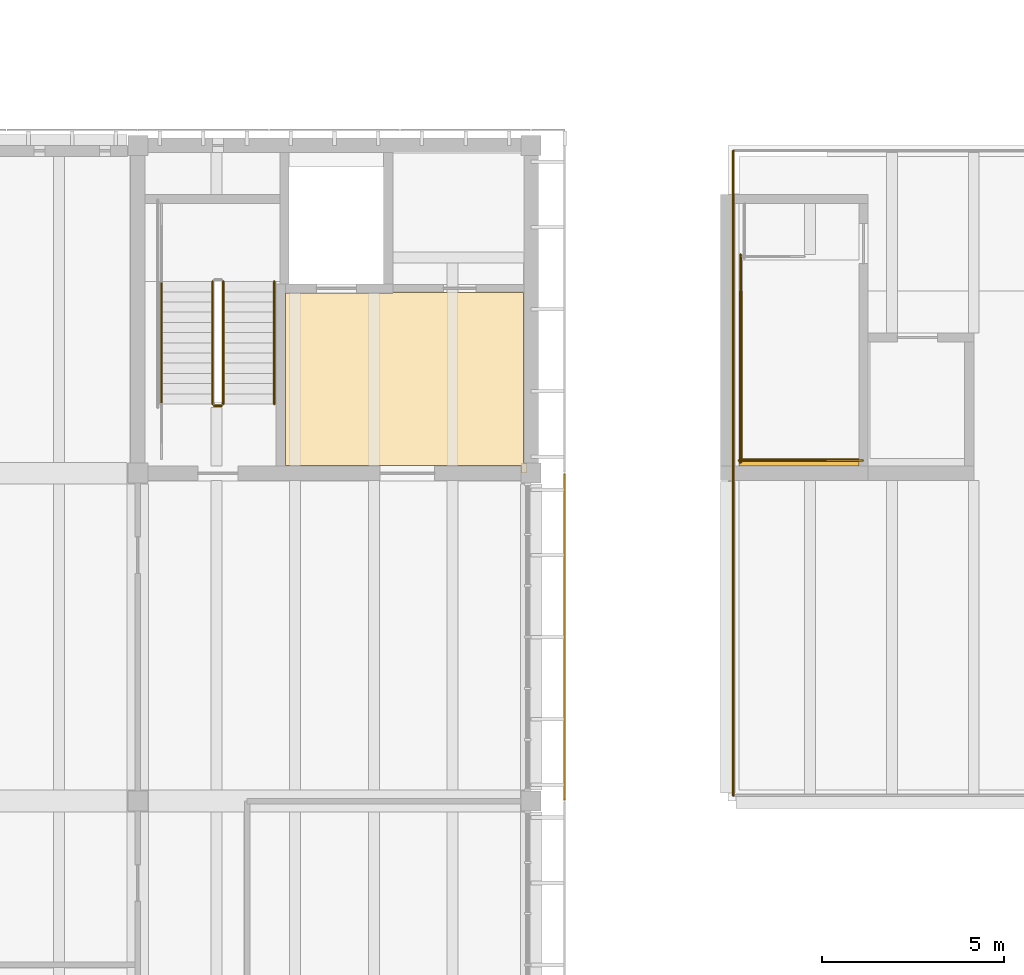
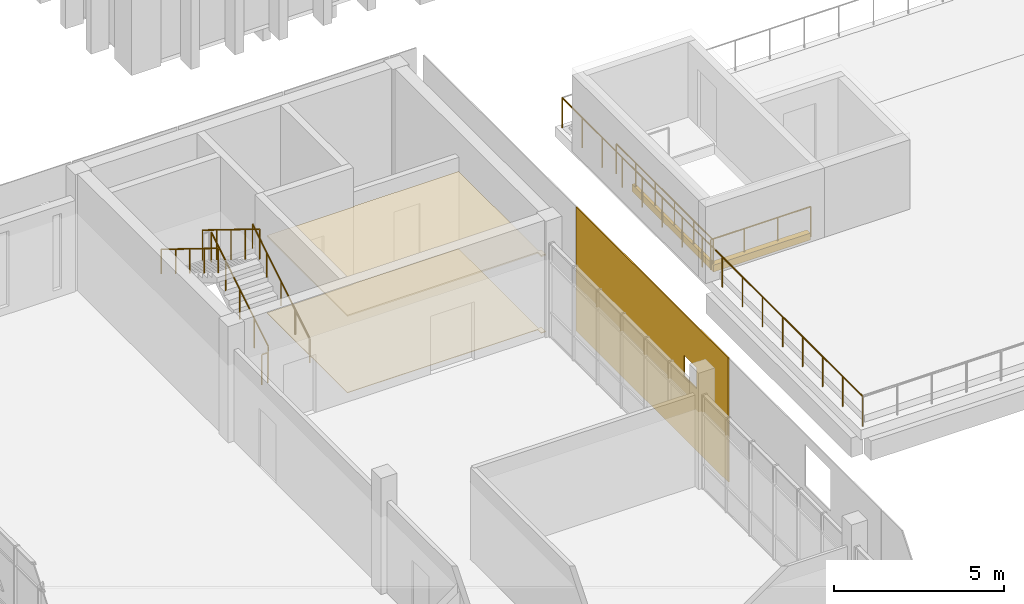
# One storey, part 68 of 74: 8 railings, 4 coverings.
"""IFC4 building model written with IfcOpenShell, lengths in metres."""

from ifc_helpers import new_model, si_unit, direction, frame, origin, origin_2d, place, context, subcontext, project, spatial, polyline, circle, outline, extrude, source, transform, mapped, material, layer, layer_set, type_object, element, save


model = new_model("IFC4")

# Units and contexts
model_context = context("Model", 3, precision=1e-05, world=origin(), true_north=direction((0.0, 1.0)))
body_context = subcontext(model_context, "Body", "Model", "MODEL_VIEW")
ifc_project = project(units=[si_unit("LENGTHUNIT", "METRE"), si_unit("AREAUNIT", "SQUARE_METRE"), si_unit("VOLUMEUNIT", "CUBIC_METRE"), si_unit("PLANEANGLEUNIT", "RADIAN"), si_unit("MASSUNIT", "GRAM", prefix="KILO")], contexts=[model_context])

# Site, building, storey
site_placement = place(None, origin())
site = spatial("IfcSite", under=ifc_project, at=site_placement, CompositionType="ELEMENT")
building_placement = place(site_placement, origin())
building = spatial("IfcBuilding", under=site, at=building_placement, Name="Merrow Basin Faculty of Sciences", CompositionType="ELEMENT")
storey_placement = place(building_placement, frame((0.0, 0.0, 13.5)))
storey = spatial("IfcBuildingStorey", under=building, at=storey_placement, Name="L03", CompositionType="ELEMENT", Elevation=13.5)

# Coverings
ifc_material_1 = material(Name="Planting substrate")
ifc_layer_1 = layer(ifc_material_1, 0.25)
ifc_layer_set_1 = layer_set([ifc_layer_1], Name="Planted roof build-up 250")
covering_type_1 = type_object("IfcCoveringType", Name="Planted roof build-up 250", PredefinedType="ROOFING", material=ifc_layer_set_1)
covering_1_placement = place(storey_placement, origin())
element("IfcCovering", 1, at=covering_1_placement, inside=storey, type_object=covering_type_1, Name="Planted roof build-up", PredefinedType="ROOFING", context=body_context, shape_type="SweptSolid", body=[
    extrude(outline(polyline([(30.60009765625, 124.199951171875), (27.300048828125, 124.199951171875), (27.300048828125, 129.0), (27.39990234375, 129.0), (27.39990234375, 124.39990234375), (30.60009765625, 124.39990234375), (30.60009765625, 124.199951171875)])), origin(), (0.0, 0.0, 1.0), 0.25),
])
ifc_material_2 = material(Name="Polished terrazzo floor")
ifc_layer_2 = layer(ifc_material_2, 0.02001953125)
ifc_layer_set_2 = layer_set([ifc_layer_2], Name="Polished terrazzo floor")
covering_type_2 = type_object("IfcCoveringType", Name="Polished terrazzo floor", PredefinedType="FLOORING", material=ifc_layer_set_2)
covering_2_placement = place(storey_placement, origin())
element("IfcCovering", 2, at=covering_2_placement, inside=storey, type_object=covering_type_2, Name="Floor finish L03-B-012", PredefinedType="FLOORING", context=body_context, shape_type="SweptSolid", body=[
    extrude(outline(polyline([(21.389892578125, 128.965087890625), (21.389892578125, 124.264892578125), (21.489990234375, 124.264892578125), (21.489990234375, 124.010009765625), (21.3349609375, 124.010009765625), (21.3349609375, 124.2099609375), (14.860107421875, 124.2099609375), (14.860107421875, 128.93994140625), (17.81005859375, 128.93994140625), (17.81005859375, 128.965087890625), (21.389892578125, 128.965087890625)])), origin(), (0.0, 0.0, 1.0), 0.02001953125),
])

# Railings
ifc_material_3 = material(Name="Stainless steel balustrade", Category="steel")
railing_type_1 = type_object("IfcRailingType", Name="Roof terrace guard 1100", PredefinedType="GUARDRAIL", material=ifc_material_3)
railing_1_placement = place(storey_placement, frame((27.14990234375, 115.14990234375, 0.0)))
element("IfcRailing", 3, at=railing_1_placement, inside=storey, type_object=railing_type_1, Name="Roof terrace guard", PredefinedType="GUARDRAIL", context=body_context, shape_type="SweptSolid", body=[
    extrude(circle(Radius=0.02392578125, at=origin_2d()), frame((0.0, 0.0, 1.076171875), z_axis=(0.0, 1.0, 0.0), x_axis=(-1.0, 0.0, 0.0)), (0.0, 0.0, 1.0), 17.7001953125),
    extrude(circle(Radius=0.02099609375, at=origin_2d()), origin(), (0.0, 0.0, 1.0), 1.052001953125),
    extrude(circle(Radius=0.02099609375, at=origin_2d()), frame((0.0, 1.179931640625, 0.0)), (0.0, 0.0, 1.0), 1.052001953125),
    extrude(circle(Radius=0.02099609375, at=origin_2d()), frame((0.0, 2.360107421875, 0.0)), (0.0, 0.0, 1.0), 1.052001953125),
    extrude(circle(Radius=0.02099609375, at=origin_2d()), frame((0.0, 3.5400390625, 0.0)), (0.0, 0.0, 1.0), 1.052001953125),
    extrude(circle(Radius=0.02099609375, at=origin_2d()), frame((0.0, 4.719970703125, 0.0)), (0.0, 0.0, 1.0), 1.052001953125),
    extrude(circle(Radius=0.02099609375, at=origin_2d()), frame((0.0, 5.900146484375, 0.0)), (0.0, 0.0, 1.0), 1.052001953125),
    extrude(circle(Radius=0.02099609375, at=origin_2d()), frame((0.0, 7.080078125, 0.0)), (0.0, 0.0, 1.0), 1.052001953125),
    extrude(circle(Radius=0.02099609375, at=origin_2d()), frame((0.0, 8.260009765625, 0.0)), (0.0, 0.0, 1.0), 1.052001953125),
    extrude(circle(Radius=0.02099609375, at=origin_2d()), frame((0.0, 9.440185546875, 0.0)), (0.0, 0.0, 1.0), 1.052001953125),
    extrude(circle(Radius=0.02099609375, at=origin_2d()), frame((0.0, 10.6201171875, 0.0)), (0.0, 0.0, 1.0), 1.052001953125),
    extrude(circle(Radius=0.02099609375, at=origin_2d()), frame((0.0, 11.800048828125, 0.0)), (0.0, 0.0, 1.0), 1.052001953125),
    extrude(circle(Radius=0.02099609375, at=origin_2d()), frame((0.0, 12.980224609375, 0.0)), (0.0, 0.0, 1.0), 1.052001953125),
    extrude(circle(Radius=0.02099609375, at=origin_2d()), frame((0.0, 14.16015625, 0.0)), (0.0, 0.0, 1.0), 1.052001953125),
    extrude(circle(Radius=0.02099609375, at=origin_2d()), frame((0.0, 15.340087890625, 0.0)), (0.0, 0.0, 1.0), 1.052001953125),
    extrude(circle(Radius=0.02099609375, at=origin_2d()), frame((0.0, 16.520263671875, 0.0)), (0.0, 0.0, 1.0), 1.052001953125),
    extrude(circle(Radius=0.02099609375, at=origin_2d()), frame((0.0, 17.7001953125, 0.0)), (0.0, 0.0, 1.0), 1.052001953125),
])
ifc_material_4 = material(Name="Steel ASTM A36", Category="steel")
railing_type_2 = type_object("IfcRailingType", Name="Steel guard 1100", PredefinedType="GUARDRAIL", material=ifc_material_4)
railing_2_placement = place(storey_placement, frame((13.14990234375, 125.89990234375, 0.173095703125)))
element("IfcRailing", 4, at=railing_2_placement, inside=storey, type_object=railing_type_2, Name="L03 ST-V4-N stair guard 1", PredefinedType="GUARDRAIL", context=body_context, shape_type="SweptSolid", body=[
    extrude(circle(Radius=0.02392578125, at=origin_2d()), frame((0.0, 0.0, 1.076171875), z_axis=(0.0, 0.850623216509, 0.525775754039), x_axis=(-1.0, 0.0, 0.0)), (0.0, 0.0, 1.0), 3.9501953125),
    extrude(circle(Radius=0.02099609375, at=origin_2d()), origin(), (0.0, 0.0, 1.0), 1.052001953125),
    extrude(circle(Radius=0.02099609375, at=origin_2d()), frame((0.0, 0.840087890625, 0.519287109375)), (0.0, 0.0, 1.0), 1.052001953125),
    extrude(circle(Radius=0.02099609375, at=origin_2d()), frame((0.0, 1.68017578125, 1.03857421875)), (0.0, 0.0, 1.0), 1.052001953125),
    extrude(circle(Radius=0.02099609375, at=origin_2d()), frame((0.0, 2.52001953125, 1.5576171875)), (0.0, 0.0, 1.0), 1.052001953125),
    extrude(circle(Radius=0.02099609375, at=origin_2d()), frame((0.0, 3.360107421875, 2.076904296875)), (0.0, 0.0, 1.0), 1.052001953125),
])
railing_3_placement = place(storey_placement, frame((12.85009765625, 129.260009765625, 2.423095703125)))
element("IfcRailing", 5, at=railing_3_placement, inside=storey, type_object=railing_type_2, Name="L03 ST-V4-N stair guard 4", PredefinedType="GUARDRAIL", context=body_context, shape_type="SweptSolid", body=[
    extrude(circle(Radius=0.02392578125, at=origin_2d()), frame((0.0, 0.0, 1.076171875), z_axis=(0.0, -0.850623216509, 0.525775754039), x_axis=(1.0, 0.0, 0.0)), (0.0, 0.0, 1.0), 3.9501953125),
    extrude(circle(Radius=0.02099609375, at=origin_2d()), origin(), (0.0, 0.0, 1.0), 1.052001953125),
    extrude(circle(Radius=0.02099609375, at=origin_2d()), frame((0.0, -0.840087890625, 0.519287109375)), (0.0, 0.0, 1.0), 1.052001953125),
    extrude(circle(Radius=0.02099609375, at=origin_2d()), frame((0.0, -1.68017578125, 1.03857421875)), (0.0, 0.0, 1.0), 1.052001953125),
    extrude(circle(Radius=0.02099609375, at=origin_2d()), frame((0.0, -2.52001953125, 1.5576171875)), (0.0, 0.0, 1.0), 1.052001953125),
    extrude(circle(Radius=0.02099609375, at=origin_2d()), frame((0.0, -3.360107421875, 2.076904296875)), (0.0, 0.0, 1.0), 1.052001953125),
])
railing_4_placement = place(storey_placement, frame((13.10009765625, 125.85009765625, 0.0)))
element("IfcRailing", 6, at=railing_4_placement, inside=storey, type_object=railing_type_2, Name="L03 ST-V4-N stair guard 5", PredefinedType="GUARDRAIL", context=body_context, shape_type="SweptSolid", body=[
    extrude(circle(Radius=0.02392578125, at=origin_2d()), frame((0.0, 0.0, 1.076171875), z_axis=(-1.0, 0.0, 0.0), x_axis=(0.0, -1.0, 0.0)), (0.0, 0.0, 1.0), 0.2001953125),
    extrude(circle(Radius=0.02099609375, at=origin_2d()), origin(), (0.0, 0.0, 1.0), 1.052001953125),
    extrude(circle(Radius=0.02099609375, at=origin_2d()), frame((-0.2001953125, 0.0, 0.0)), (0.0, 0.0, 1.0), 1.052001953125),
])
railing_5_placement = place(storey_placement, frame((27.35009765625, 130.0, 0.0)))
element("IfcRailing", 7, at=railing_5_placement, inside=storey, type_object=railing_type_2, Name="L03 ST-V2-W top well guard 2", PredefinedType="GUARDRAIL", context=body_context, shape_type="SweptSolid", body=[
    extrude(circle(Radius=0.02392578125, at=origin_2d()), frame((0.0, 0.0, 1.076171875), z_axis=(0.0, -1.0, 0.0), x_axis=(1.0, 0.0, 0.0)), (0.0, 0.0, 1.0), 5.699951171875),
    extrude(circle(Radius=0.02099609375, at=origin_2d()), origin(), (0.0, 0.0, 1.0), 1.052001953125),
    extrude(circle(Radius=0.02099609375, at=origin_2d()), frame((0.0, -1.139892578125, 0.0)), (0.0, 0.0, 1.0), 1.052001953125),
    extrude(circle(Radius=0.02099609375, at=origin_2d()), frame((0.0, -2.280029296875, 0.0)), (0.0, 0.0, 1.0), 1.052001953125),
    extrude(circle(Radius=0.02099609375, at=origin_2d()), frame((0.0, -3.419921875, 0.0)), (0.0, 0.0, 1.0), 1.052001953125),
    extrude(circle(Radius=0.02099609375, at=origin_2d()), frame((0.0, -4.56005859375, 0.0)), (0.0, 0.0, 1.0), 1.052001953125),
    extrude(circle(Radius=0.02099609375, at=origin_2d()), frame((0.0, -5.699951171875, 0.0)), (0.0, 0.0, 1.0), 1.052001953125),
])
railing_6_placement = place(storey_placement, frame((27.300048828125, 124.35009765625, 0.0)))
element("IfcRailing", 8, at=railing_6_placement, inside=storey, type_object=railing_type_2, Name="L03 ST-V2-W top well guard 3", PredefinedType="GUARDRAIL", context=body_context, shape_type="SweptSolid", body=[
    extrude(circle(Radius=0.02392578125, at=origin_2d()), frame((0.0, 0.0, 1.076171875), z_axis=(1.0, 0.0, 0.0), x_axis=(0.0, 1.0, 0.0)), (0.0, 0.0, 1.0), 3.39990234375),
    extrude(circle(Radius=0.02099609375, at=origin_2d()), origin(), (0.0, 0.0, 1.0), 1.052001953125),
    extrude(circle(Radius=0.02099609375, at=origin_2d()), frame((1.13330078125, 0.0, 0.0)), (0.0, 0.0, 1.0), 1.052001953125),
    extrude(circle(Radius=0.02099609375, at=origin_2d()), frame((2.2666015625, 0.0, 0.0)), (0.0, 0.0, 1.0), 1.052001953125),
    extrude(circle(Radius=0.02099609375, at=origin_2d()), frame((3.39990234375, 0.0, 0.0)), (0.0, 0.0, 1.0), 1.052001953125),
])
ifc_material_5 = material(Name="Steel ASTM A36", Category="steel")
railing_type_3 = type_object("IfcRailingType", Name="Steel handrail 900", PredefinedType="HANDRAIL", material=ifc_material_5)
railing_7_placement = place(storey_placement, frame((14.550048828125, 125.89990234375, 0.173095703125)))
element("IfcRailing", 9, at=railing_7_placement, inside=storey, type_object=railing_type_3, Name="L03 ST-V4-N stair handrail 1", PredefinedType="HANDRAIL", context=body_context, shape_type="SweptSolid", body=[
    extrude(circle(Radius=0.02392578125, at=origin_2d()), frame((0.0, 0.0, 0.8759765625), z_axis=(0.0, 0.850623216509, 0.525775754039), x_axis=(-1.0, 0.0, 0.0)), (0.0, 0.0, 1.0), 3.9501953125),
    extrude(circle(Radius=0.02099609375, at=origin_2d()), origin(), (0.0, 0.0, 1.0), 0.851806640625),
    extrude(circle(Radius=0.02099609375, at=origin_2d()), frame((0.0, 0.840087890625, 0.519287109375)), (0.0, 0.0, 1.0), 0.851806640625),
    extrude(circle(Radius=0.02099609375, at=origin_2d()), frame((0.0, 1.68017578125, 1.03857421875)), (0.0, 0.0, 1.0), 0.851806640625),
    extrude(circle(Radius=0.02099609375, at=origin_2d()), frame((0.0, 2.52001953125, 1.5576171875)), (0.0, 0.0, 1.0), 0.851806640625),
    extrude(circle(Radius=0.02099609375, at=origin_2d()), frame((0.0, 3.360107421875, 2.076904296875)), (0.0, 0.0, 1.0), 0.851806640625),
])
railing_8_placement = place(storey_placement, frame((11.449951171875, 129.260009765625, 2.423095703125)))
element("IfcRailing", 10, at=railing_8_placement, inside=storey, type_object=railing_type_3, Name="L03 ST-V4-N stair handrail 2", PredefinedType="HANDRAIL", context=body_context, shape_type="SweptSolid", body=[
    extrude(circle(Radius=0.02392578125, at=origin_2d()), frame((0.0, 0.0, 0.8759765625), z_axis=(0.0, -0.850623216509, 0.525775754039), x_axis=(1.0, 0.0, 0.0)), (0.0, 0.0, 1.0), 3.9501953125),
    extrude(circle(Radius=0.02099609375, at=origin_2d()), origin(), (0.0, 0.0, 1.0), 0.851806640625),
    extrude(circle(Radius=0.02099609375, at=origin_2d()), frame((0.0, -0.840087890625, 0.519287109375)), (0.0, 0.0, 1.0), 0.851806640625),
    extrude(circle(Radius=0.02099609375, at=origin_2d()), frame((0.0, -1.68017578125, 1.03857421875)), (0.0, 0.0, 1.0), 0.851806640625),
    extrude(circle(Radius=0.02099609375, at=origin_2d()), frame((0.0, -2.52001953125, 1.5576171875)), (0.0, 0.0, 1.0), 0.851806640625),
    extrude(circle(Radius=0.02099609375, at=origin_2d()), frame((0.0, -3.360107421875, 2.076904296875)), (0.0, 0.0, 1.0), 0.851806640625),
])

# Coverings
ifc_material_6 = material(Name="Mineral fibre ceiling tile")
ifc_layer_3 = layer(ifc_material_6, 0.050048828125)
ifc_layer_set_3 = layer_set([ifc_layer_3], Name="Suspended acoustic ceiling tile")
covering_type_3 = type_object("IfcCoveringType", Name="Suspended acoustic ceiling tile", PredefinedType="CEILING", material=ifc_layer_set_3)
covering_3_placement = place(storey_placement, frame((0.0, 0.0, 2.75)))
element("IfcCovering", 11, at=covering_3_placement, inside=storey, type_object=covering_type_3, Name="Ceiling L03-B-012", PredefinedType="CEILING", context=body_context, shape_type="SweptSolid", body=[
    extrude(outline(polyline([(21.389892578125, 128.965087890625), (21.389892578125, 124.264892578125), (21.489990234375, 124.264892578125), (21.489990234375, 124.010009765625), (21.3349609375, 124.010009765625), (21.3349609375, 124.2099609375), (14.860107421875, 124.2099609375), (14.860107421875, 128.93994140625), (17.81005859375, 128.93994140625), (17.81005859375, 128.965087890625), (21.389892578125, 128.965087890625)])), origin(), (0.0, 0.0, 1.0), 0.050048828125),
])
ifc_material_7 = material(Name="White powder-coated aluminium", Category="aluminium")
ifc_layer_4 = layer(ifc_material_7, 0.0400390625)
ifc_layer_set_4 = layer_set([ifc_layer_4], Name="Perforated panel 9000 x 4500")
covering_type_4 = type_object("IfcCoveringType", Name="Perforated panel 9000 x 4500", PredefinedType="CLADDING", material=ifc_layer_set_4)
shared_shape = source(origin(), body_context, "Body", "SweptSolid", [
    extrude(outline(polyline([(0.02001953125, 0.02001953125), (8.97998046875, 0.02001953125), (8.97998046875, 4.47998046875), (0.02001953125, 4.47998046875), (0.02001953125, 0.02001953125)]), holes=[polyline([(6.375, 2.25), (7.125, 2.25), (7.125, 3.0), (6.375, 3.0), (6.375, 2.25)])]), origin(), (0.0, 0.0, 1.0), 0.0400390625),
])
covering_4_placement = place(storey_placement, frame((22.5400390625, 124.0, -0.320068359375), z_axis=(-1.0, 0.0, 0.0), x_axis=(0.0, -1.0, 0.0)))
element("IfcCovering", 12, at=covering_4_placement, inside=storey, type_object=covering_type_4, Name="Perforated panel EL03-07", PredefinedType="CLADDING", context=body_context, shape_type="MappedRepresentation", body=[
    mapped(shared_shape, transform((0.0, 0.0, 0.0), scale=1.0)),
])

save(model, "model.ifc")
